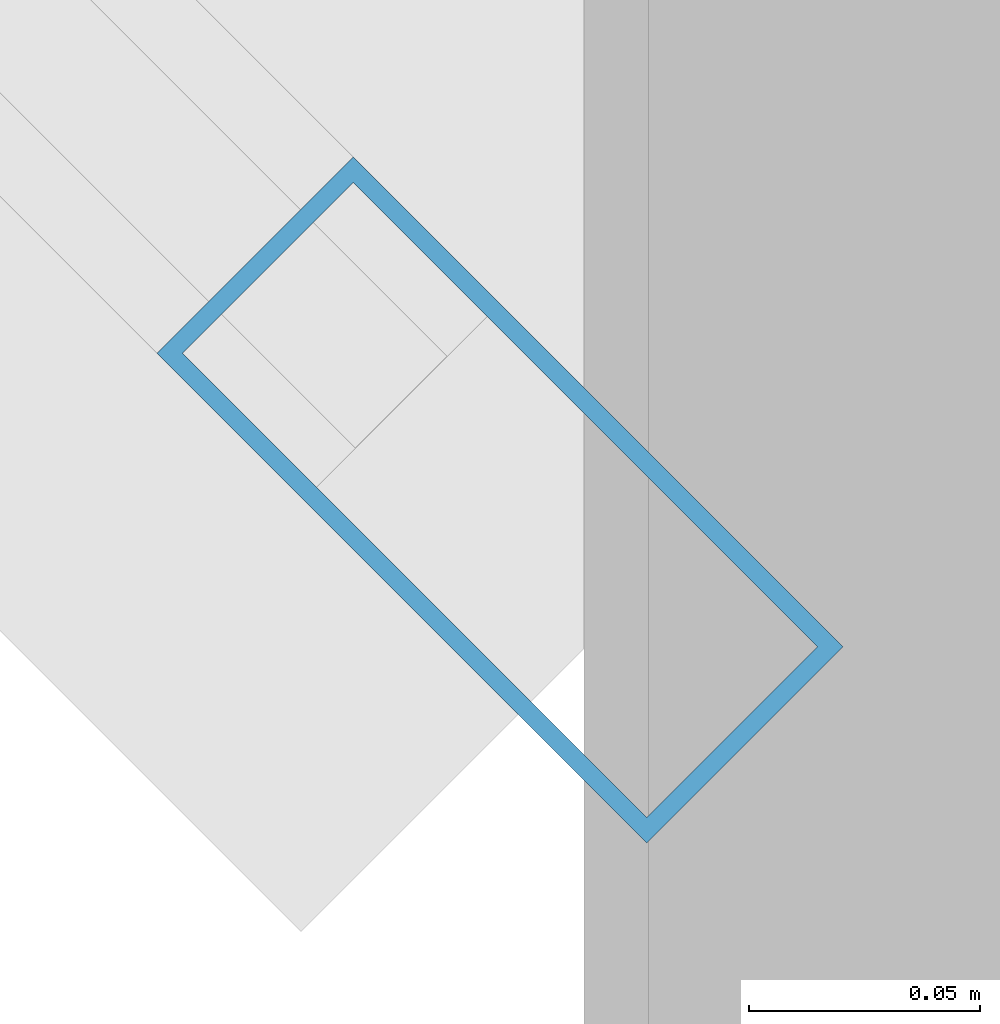
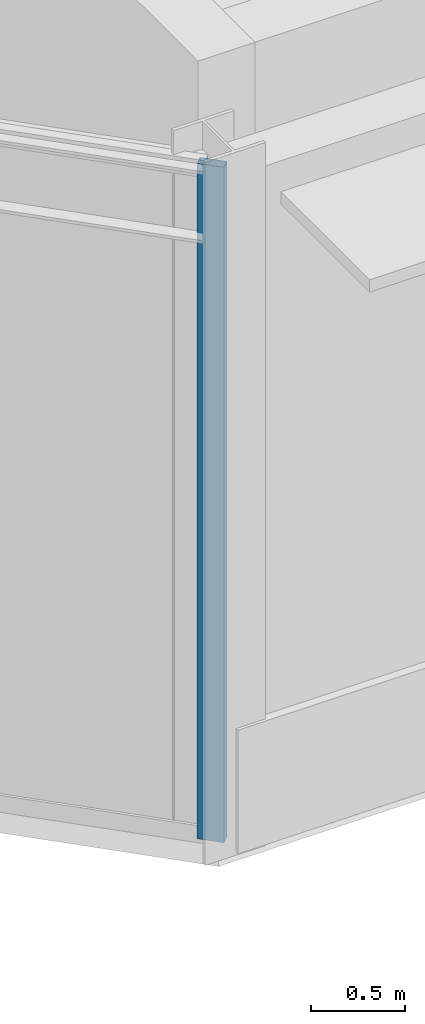
# One storey, part 29 of 116: 1 member, 1 element without a shape of its own.
"""IFC4 building model written with IfcOpenShell, lengths in metres."""

from ifc_helpers import new_model, si_unit, direction, frame, origin, origin_2d, place, context, subcontext, project, spatial, hollow_rectangle, extrude, material, material_profile, profile_set, type_object, element, aggregate, save


model = new_model("IFC4")

# Units and contexts
model_context = context("Model", 3, precision=1e-05, world=origin(), true_north=direction((0.0, 1.0)))
body_context = subcontext(model_context, "Body", "Model", "MODEL_VIEW")
ifc_project = project(units=[si_unit("LENGTHUNIT", "METRE"), si_unit("AREAUNIT", "SQUARE_METRE"), si_unit("VOLUMEUNIT", "CUBIC_METRE"), si_unit("PLANEANGLEUNIT", "RADIAN"), si_unit("MASSUNIT", "GRAM", prefix="KILO")], contexts=[model_context])

# Site, building, storey
site_placement = place(None, origin())
site = spatial("IfcSite", under=ifc_project, at=site_placement, CompositionType="ELEMENT")
building_placement = place(site_placement, origin())
building = spatial("IfcBuilding", under=site, at=building_placement, Name="Almandine Court Research Institute", CompositionType="ELEMENT")
storey_placement = place(building_placement, frame((0.0, 0.0, 14.35009765625)))
storey = spatial("IfcBuildingStorey", under=building, at=storey_placement, Name="L03", CompositionType="ELEMENT", Elevation=14.35009765625)

# Curtain wall, member
ifc_material_1 = material(Name="Unitised Curtain Wall Framing and Solar Glazing", Category="glass")
curtain_wall_type = type_object("IfcCurtainWallType", Name="CW-CWG-05", PredefinedType="USERDEFINED", material=ifc_material_1)
curtain_wall_placement = place(storey_placement, origin())
curtain_wall = element("IfcCurtainWall", 1, at=curtain_wall_placement, inside=storey, type_object=curtain_wall_type, Name="L03 Cleanroom SW Chamfer Glazing", ObjectType="UNITISED GLAZING", PredefinedType="USERDEFINED")
ifc_material_2 = material(Name="Anodised Aluminium AW-6063-T6", Category="aluminium")
ifc_material_profile = material_profile(ifc_material_2, hollow_rectangle(XDim=0.06005859375, YDim=0.14990234375, WallThickness=0.00390625, at=origin_2d()), Name="ALU RHS 60x150x4")
ifc_profile_set = profile_set([ifc_material_profile], Name="Anodised Aluminium AW-6063-T6")
member_type = type_object("IfcMemberType", Name="CWMul-60x150", PredefinedType="MULLION", material=ifc_profile_set)
member_placement = place(storey_placement, frame((10.77490234375, 84.025146484375, 0.0), z_axis=(0.0, 0.0, 1.0), x_axis=(-0.707106781187, -0.707106781187, 0.0)))
member = element("IfcMember", 2, at=member_placement, type_object=member_type, Name="CWG-05 mullion 1", PredefinedType="MULLION", context=body_context, shape_type="SweptSolid", body=[
    extrude(hollow_rectangle(XDim=0.06005859375, YDim=0.14990234375, WallThickness=0.00390625, at=origin_2d()), origin(), (0.0, 0.0, 1.0), 4.369873046875),
])
aggregate(curtain_wall, [member])

save(model, "model.ifc")
